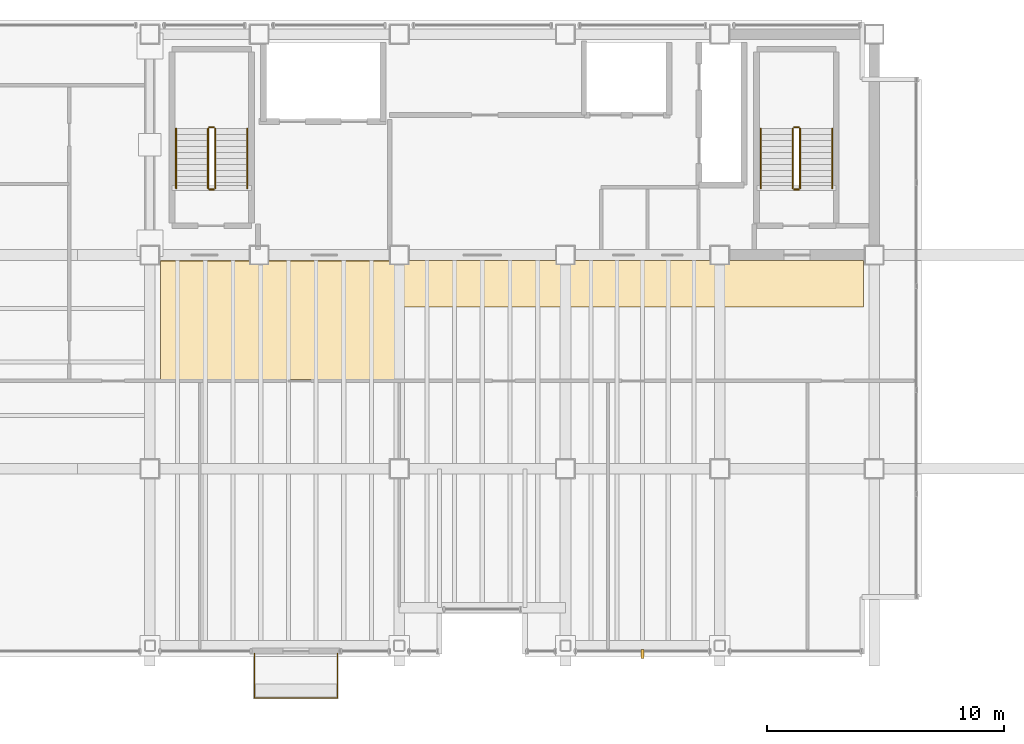
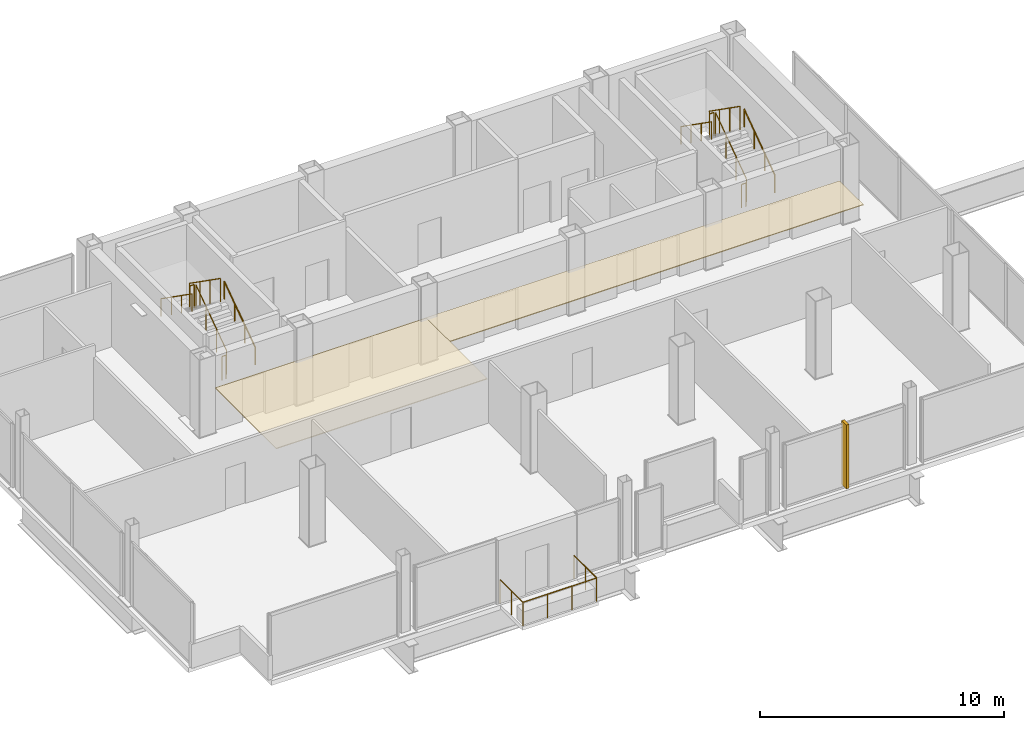
# One storey, part 22 of 22: 13 railings, 2 coverings, 1 shading device.
"""IFC4 building model written with IfcOpenShell, lengths in metres."""

from ifc_helpers import new_model, si_unit, direction, frame, origin, origin_2d, place, context, subcontext, project, spatial, polyline, rectangle, circle, outline, extrude, material, layer, layer_set, type_object, element, save


model = new_model("IFC4")

# Units and contexts
model_context = context("Model", 3, precision=1e-05, world=origin(), true_north=direction((0.0, 1.0)))
body_context = subcontext(model_context, "Body", "Model", "MODEL_VIEW")
ifc_project = project(units=[si_unit("LENGTHUNIT", "METRE"), si_unit("AREAUNIT", "SQUARE_METRE"), si_unit("VOLUMEUNIT", "CUBIC_METRE"), si_unit("PLANEANGLEUNIT", "RADIAN"), si_unit("MASSUNIT", "GRAM", prefix="KILO")], contexts=[model_context])

# Site, building, storey
site_placement = place(None, origin())
site = spatial("IfcSite", under=ifc_project, at=site_placement, CompositionType="ELEMENT")
building_placement = place(site_placement, origin())
building = spatial("IfcBuilding", under=site, at=building_placement, Name="Noeulbin Bourse Tower", CompositionType="ELEMENT")
storey_placement = place(building_placement, frame((0.0, 0.0, 230.60009765625)))
storey = spatial("IfcBuildingStorey", under=building, at=storey_placement, Name="L57", CompositionType="ELEMENT", Elevation=230.60009765625)

# Coverings
ifc_material_1 = material(Name="Perforated Mineral-Fibre Acoustic Tile")
ifc_layer_1 = layer(ifc_material_1, 0.0400390625)
ifc_layer_set_1 = layer_set([ifc_layer_1], Name="Perforated Mineral-Fibre Acoustic Tile")
covering_type_1 = type_object("IfcCoveringType", Name="COV-CEIL-ACT", PredefinedType="CEILING", material=ifc_layer_set_1)
covering_1_placement = place(storey_placement, frame((0.0, 0.0, 2.10986328125)))
element("IfcCovering", 1, at=covering_1_placement, inside=storey, type_object=covering_type_1, Name="Trading Suite Acoustic Ceiling L57", PredefinedType="CEILING", context=body_context, shape_type="SweptSolid", body=[
    extrude(outline(polyline([(13.949951171875, 23.75), (23.949951171875, 23.75), (23.949951171875, 28.75), (13.949951171875, 28.75), (13.949951171875, 23.75)])), origin(), (0.0, 0.0, 1.0), 0.0400390625),
])
ifc_material_2 = material(Name="Linear Anodised Aluminium Baffle Ceiling", Category="aluminium")
ifc_layer_2 = layer(ifc_material_2, 0.050048828125)
ifc_layer_set_2 = layer_set([ifc_layer_2], Name="Linear Anodised Aluminium Baffle Ceiling")
covering_type_2 = type_object("IfcCoveringType", Name="COV-CEIL-MTL", PredefinedType="CEILING", material=ifc_layer_set_2)
covering_2_placement = place(storey_placement, frame((0.0, 0.0, 2.10986328125)))
element("IfcCovering", 2, at=covering_2_placement, inside=storey, type_object=covering_type_2, Name="Corridor Suspended Ceiling L57", PredefinedType="CEILING", context=body_context, shape_type="SweptSolid", body=[
    extrude(outline(polyline([(13.949951171875, 26.820068359375), (43.550048828125, 26.820068359375), (43.550048828125, 28.780029296875), (13.949951171875, 28.780029296875), (13.949951171875, 26.820068359375)])), origin(), (0.0, 0.0, 1.0), 0.0400390625),
])

# Railings
ifc_material_3 = material(Name="Laminated SentryGlas and Stainless Steel 316", Category="steel")
ifc_layer_3 = layer(ifc_material_3, 0.06005859375)
ifc_layer_set_3 = layer_set([ifc_layer_3], Name="Laminated SentryGlas and Stainless Steel 316")
railing_type_1 = type_object("IfcRailingType", Name="RLG-BAL-1200", PredefinedType="BALUSTRADE", material=ifc_layer_set_3)
railing_1_placement = place(storey_placement, frame((17.89990234375, 12.219970703125, 0.0)))
element("IfcRailing", 3, at=railing_1_placement, inside=storey, type_object=railing_type_1, Name="Tree-Balcony Glazed Balustrade L57", PredefinedType="BALUSTRADE", context=body_context, shape_type="SweptSolid", body=[
    extrude(circle(Radius=0.02392578125, at=origin_2d()), frame((0.0, 0.0, 1.17578125), z_axis=(0.0, -1.0, 0.0), x_axis=(1.0, 0.0, 0.0)), (0.0, 0.0, 1.0), 1.869873046875),
    extrude(circle(Radius=0.02392578125, at=origin_2d()), frame((0.0, -1.869873046875, 1.17578125), z_axis=(1.0, 0.0, 0.0), x_axis=(0.0, 1.0, 0.0)), (0.0, 0.0, 1.0), 3.5),
    extrude(circle(Radius=0.02392578125, at=origin_2d()), frame((3.5, -1.869873046875, 1.17578125), z_axis=(0.0, 1.0, 0.0), x_axis=(-1.0, 0.0, 0.0)), (0.0, 0.0, 1.0), 1.869873046875),
    extrude(circle(Radius=0.02099609375, at=origin_2d()), origin(), (0.0, 0.0, 1.0), 1.15185546875),
    extrude(circle(Radius=0.02099609375, at=origin_2d()), frame((0.0, -0.93505859375, 0.0)), (0.0, 0.0, 1.0), 1.15185546875),
    extrude(circle(Radius=0.02099609375, at=origin_2d()), frame((0.0, -1.869873046875, 0.0)), (0.0, 0.0, 1.0), 1.15185546875),
    extrude(circle(Radius=0.02099609375, at=origin_2d()), frame((1.166748046875, -1.869873046875, 0.0)), (0.0, 0.0, 1.0), 1.15185546875),
    extrude(circle(Radius=0.02099609375, at=origin_2d()), frame((2.333251953125, -1.869873046875, 0.0)), (0.0, 0.0, 1.0), 1.15185546875),
    extrude(circle(Radius=0.02099609375, at=origin_2d()), frame((3.5, -1.869873046875, 0.0)), (0.0, 0.0, 1.0), 1.15185546875),
    extrude(circle(Radius=0.02099609375, at=origin_2d()), frame((3.5, -0.93505859375, 0.0)), (0.0, 0.0, 1.0), 1.15185546875),
    extrude(circle(Radius=0.02099609375, at=origin_2d()), frame((3.5, 0.0, 0.0)), (0.0, 0.0, 1.0), 1.15185546875),
])
ifc_material_4 = material(Name="Painted Tubular Steel S355", Category="steel")
ifc_layer_4 = layer(ifc_material_4, 0.048095703125)
ifc_layer_set_4 = layer_set([ifc_layer_4], Name="Painted Tubular Steel S355")
railing_type_2 = type_object("IfcRailingType", Name="RLG-STR-GRD", PredefinedType="GUARDRAIL", material=ifc_layer_set_4)
railing_2_placement = place(storey_placement, frame((16.25, 31.81005859375, 0.17724609375)))
element("IfcRailing", 4, at=railing_2_placement, inside=storey, type_object=railing_type_2, Name="L57 ST-1 stair guard 1", PredefinedType="GUARDRAIL", context=body_context, shape_type="SweptSolid", body=[
    extrude(circle(Radius=0.02392578125, at=origin_2d()), frame((0.0, 0.0, 1.17578125), z_axis=(0.0, 0.817904474719, 0.575354039036), x_axis=(-1.0, 0.0, 0.0)), (0.0, 0.0, 1.0), 3.0810546875),
    extrude(circle(Radius=0.02099609375, at=origin_2d()), origin(), (0.0, 0.0, 1.0), 1.15185546875),
    extrude(circle(Radius=0.02099609375, at=origin_2d()), frame((0.0, 0.840087890625, 0.5908203125)), (0.0, 0.0, 1.0), 1.15185546875),
    extrude(circle(Radius=0.02099609375, at=origin_2d()), frame((0.0, 1.679931640625, 1.181884765625)), (0.0, 0.0, 1.0), 1.15185546875),
    extrude(circle(Radius=0.02099609375, at=origin_2d()), frame((0.0, 2.52001953125, 1.772705078125)), (0.0, 0.0, 1.0), 1.15185546875),
])
railing_3_placement = place(storey_placement, frame((16.199951171875, 34.3798828125, 1.949951171875)))
element("IfcRailing", 5, at=railing_3_placement, inside=storey, type_object=railing_type_2, Name="L57 ST-1 stair guard 2", PredefinedType="GUARDRAIL", context=body_context, shape_type="SweptSolid", body=[
    extrude(circle(Radius=0.02392578125, at=origin_2d()), frame((0.0, 0.0, 1.17578125), z_axis=(-1.0, 0.0, 0.0), x_axis=(0.0, -1.0, 0.0)), (0.0, 0.0, 1.0), 0.199951171875),
    extrude(circle(Radius=0.02099609375, at=origin_2d()), origin(), (0.0, 0.0, 1.0), 1.15185546875),
    extrude(circle(Radius=0.02099609375, at=origin_2d()), frame((-0.199951171875, 0.0, 0.0)), (0.0, 0.0, 1.0), 1.15185546875),
])
railing_4_placement = place(storey_placement, frame((15.949951171875, 34.330078125, 2.127197265625)))
element("IfcRailing", 6, at=railing_4_placement, inside=storey, type_object=railing_type_2, Name="L57 ST-1 stair guard 3", PredefinedType="GUARDRAIL", context=body_context, shape_type="SweptSolid", body=[
    extrude(circle(Radius=0.02392578125, at=origin_2d()), frame((0.0, 0.0, 1.17578125), z_axis=(0.0, -0.817904474719, 0.575354039036), x_axis=(1.0, 0.0, 0.0)), (0.0, 0.0, 1.0), 3.0810546875),
    extrude(circle(Radius=0.02099609375, at=origin_2d()), origin(), (0.0, 0.0, 1.0), 1.15185546875),
    extrude(circle(Radius=0.02099609375, at=origin_2d()), frame((0.0, -0.840087890625, 0.5908203125)), (0.0, 0.0, 1.0), 1.15185546875),
    extrude(circle(Radius=0.02099609375, at=origin_2d()), frame((0.0, -1.679931640625, 1.181884765625)), (0.0, 0.0, 1.0), 1.15185546875),
    extrude(circle(Radius=0.02099609375, at=origin_2d()), frame((0.0, -2.52001953125, 1.772705078125)), (0.0, 0.0, 1.0), 1.15185546875),
])
railing_5_placement = place(storey_placement, frame((16.199951171875, 31.760009765625, 0.0)))
element("IfcRailing", 7, at=railing_5_placement, inside=storey, type_object=railing_type_2, Name="L57 ST-1 stair guard 4", PredefinedType="GUARDRAIL", context=body_context, shape_type="SweptSolid", body=[
    extrude(circle(Radius=0.02392578125, at=origin_2d()), frame((0.0, 0.0, 1.17578125), z_axis=(-1.0, 0.0, 0.0), x_axis=(0.0, -1.0, 0.0)), (0.0, 0.0, 1.0), 0.199951171875),
    extrude(circle(Radius=0.02099609375, at=origin_2d()), origin(), (0.0, 0.0, 1.0), 1.15185546875),
    extrude(circle(Radius=0.02099609375, at=origin_2d()), frame((-0.199951171875, 0.0, 0.0)), (0.0, 0.0, 1.0), 1.15185546875),
])
railing_6_placement = place(storey_placement, frame((40.8798828125, 31.81005859375, 0.17724609375)))
element("IfcRailing", 8, at=railing_6_placement, inside=storey, type_object=railing_type_2, Name="L57 ST-2 stair guard 1", PredefinedType="GUARDRAIL", context=body_context, shape_type="SweptSolid", body=[
    extrude(circle(Radius=0.02392578125, at=origin_2d()), frame((0.0, 0.0, 1.17578125), z_axis=(0.0, 0.817904474719, 0.575354039036), x_axis=(-1.0, 0.0, 0.0)), (0.0, 0.0, 1.0), 3.0810546875),
    extrude(circle(Radius=0.02099609375, at=origin_2d()), origin(), (0.0, 0.0, 1.0), 1.15185546875),
    extrude(circle(Radius=0.02099609375, at=origin_2d()), frame((0.0, 0.840087890625, 0.5908203125)), (0.0, 0.0, 1.0), 1.15185546875),
    extrude(circle(Radius=0.02099609375, at=origin_2d()), frame((0.0, 1.679931640625, 1.181884765625)), (0.0, 0.0, 1.0), 1.15185546875),
    extrude(circle(Radius=0.02099609375, at=origin_2d()), frame((0.0, 2.52001953125, 1.772705078125)), (0.0, 0.0, 1.0), 1.15185546875),
])
railing_7_placement = place(storey_placement, frame((40.830078125, 34.3798828125, 1.949951171875)))
element("IfcRailing", 9, at=railing_7_placement, inside=storey, type_object=railing_type_2, Name="L57 ST-2 stair guard 2", PredefinedType="GUARDRAIL", context=body_context, shape_type="SweptSolid", body=[
    extrude(circle(Radius=0.02392578125, at=origin_2d()), frame((0.0, 0.0, 1.17578125), z_axis=(-1.0, 0.0, 0.0), x_axis=(0.0, -1.0, 0.0)), (0.0, 0.0, 1.0), 0.2001953125),
    extrude(circle(Radius=0.02099609375, at=origin_2d()), origin(), (0.0, 0.0, 1.0), 1.15185546875),
    extrude(circle(Radius=0.02099609375, at=origin_2d()), frame((-0.2001953125, 0.0, 0.0)), (0.0, 0.0, 1.0), 1.15185546875),
])
railing_8_placement = place(storey_placement, frame((40.580078125, 34.330078125, 2.127197265625)))
element("IfcRailing", 10, at=railing_8_placement, inside=storey, type_object=railing_type_2, Name="L57 ST-2 stair guard 3", PredefinedType="GUARDRAIL", context=body_context, shape_type="SweptSolid", body=[
    extrude(circle(Radius=0.02392578125, at=origin_2d()), frame((0.0, 0.0, 1.17578125), z_axis=(0.0, -0.817904474719, 0.575354039036), x_axis=(1.0, 0.0, 0.0)), (0.0, 0.0, 1.0), 3.0810546875),
    extrude(circle(Radius=0.02099609375, at=origin_2d()), origin(), (0.0, 0.0, 1.0), 1.15185546875),
    extrude(circle(Radius=0.02099609375, at=origin_2d()), frame((0.0, -0.840087890625, 0.5908203125)), (0.0, 0.0, 1.0), 1.15185546875),
    extrude(circle(Radius=0.02099609375, at=origin_2d()), frame((0.0, -1.679931640625, 1.181884765625)), (0.0, 0.0, 1.0), 1.15185546875),
    extrude(circle(Radius=0.02099609375, at=origin_2d()), frame((0.0, -2.52001953125, 1.772705078125)), (0.0, 0.0, 1.0), 1.15185546875),
])
railing_9_placement = place(storey_placement, frame((40.830078125, 31.760009765625, 0.0)))
element("IfcRailing", 11, at=railing_9_placement, inside=storey, type_object=railing_type_2, Name="L57 ST-2 stair guard 4", PredefinedType="GUARDRAIL", context=body_context, shape_type="SweptSolid", body=[
    extrude(circle(Radius=0.02392578125, at=origin_2d()), frame((0.0, 0.0, 1.17578125), z_axis=(-1.0, 0.0, 0.0), x_axis=(0.0, -1.0, 0.0)), (0.0, 0.0, 1.0), 0.2001953125),
    extrude(circle(Radius=0.02099609375, at=origin_2d()), origin(), (0.0, 0.0, 1.0), 1.15185546875),
    extrude(circle(Radius=0.02099609375, at=origin_2d()), frame((-0.2001953125, 0.0, 0.0)), (0.0, 0.0, 1.0), 1.15185546875),
])
ifc_material_5 = material(Name="Brushed Stainless Steel 316", Category="steel")
ifc_layer_5 = layer(ifc_material_5, 0.048095703125)
ifc_layer_set_5 = layer_set([ifc_layer_5], Name="Brushed Stainless Steel 316")
railing_type_3 = type_object("IfcRailingType", Name="RLG-STR-HND", PredefinedType="HANDRAIL", material=ifc_layer_set_5)
railing_10_placement = place(storey_placement, frame((17.60009765625, 31.81005859375, 0.17724609375)))
element("IfcRailing", 12, at=railing_10_placement, inside=storey, type_object=railing_type_3, Name="L57 ST-1 stair handrail 1", PredefinedType="HANDRAIL", context=body_context, shape_type="SweptSolid", body=[
    extrude(circle(Radius=0.02392578125, at=origin_2d()), frame((0.0, 0.0, 0.8759765625), z_axis=(0.0, 0.817904474719, 0.575354039036), x_axis=(-1.0, 0.0, 0.0)), (0.0, 0.0, 1.0), 3.0810546875),
    extrude(circle(Radius=0.02099609375, at=origin_2d()), origin(), (0.0, 0.0, 1.0), 0.851806640625),
    extrude(circle(Radius=0.02099609375, at=origin_2d()), frame((0.0, 0.840087890625, 0.5908203125)), (0.0, 0.0, 1.0), 0.851806640625),
    extrude(circle(Radius=0.02099609375, at=origin_2d()), frame((0.0, 1.679931640625, 1.181884765625)), (0.0, 0.0, 1.0), 0.851806640625),
    extrude(circle(Radius=0.02099609375, at=origin_2d()), frame((0.0, 2.52001953125, 1.772705078125)), (0.0, 0.0, 1.0), 0.851806640625),
])
railing_11_placement = place(storey_placement, frame((14.60009765625, 34.330078125, 2.127197265625)))
element("IfcRailing", 13, at=railing_11_placement, inside=storey, type_object=railing_type_3, Name="L57 ST-1 stair handrail 2", PredefinedType="HANDRAIL", context=body_context, shape_type="SweptSolid", body=[
    extrude(circle(Radius=0.02392578125, at=origin_2d()), frame((0.0, 0.0, 0.8759765625), z_axis=(0.0, -0.817904474719, 0.575354039036), x_axis=(1.0, 0.0, 0.0)), (0.0, 0.0, 1.0), 3.0810546875),
    extrude(circle(Radius=0.02099609375, at=origin_2d()), origin(), (0.0, 0.0, 1.0), 0.851806640625),
    extrude(circle(Radius=0.02099609375, at=origin_2d()), frame((0.0, -0.840087890625, 0.5908203125)), (0.0, 0.0, 1.0), 0.851806640625),
    extrude(circle(Radius=0.02099609375, at=origin_2d()), frame((0.0, -1.679931640625, 1.181884765625)), (0.0, 0.0, 1.0), 0.851806640625),
    extrude(circle(Radius=0.02099609375, at=origin_2d()), frame((0.0, -2.52001953125, 1.772705078125)), (0.0, 0.0, 1.0), 0.851806640625),
])
railing_12_placement = place(storey_placement, frame((42.22998046875, 31.81005859375, 0.17724609375)))
element("IfcRailing", 14, at=railing_12_placement, inside=storey, type_object=railing_type_3, Name="L57 ST-2 stair handrail 1", PredefinedType="HANDRAIL", context=body_context, shape_type="SweptSolid", body=[
    extrude(circle(Radius=0.02392578125, at=origin_2d()), frame((0.0, 0.0, 0.8759765625), z_axis=(0.0, 0.817904474719, 0.575354039036), x_axis=(-1.0, 0.0, 0.0)), (0.0, 0.0, 1.0), 3.0810546875),
    extrude(circle(Radius=0.02099609375, at=origin_2d()), origin(), (0.0, 0.0, 1.0), 0.851806640625),
    extrude(circle(Radius=0.02099609375, at=origin_2d()), frame((0.0, 0.840087890625, 0.5908203125)), (0.0, 0.0, 1.0), 0.851806640625),
    extrude(circle(Radius=0.02099609375, at=origin_2d()), frame((0.0, 1.679931640625, 1.181884765625)), (0.0, 0.0, 1.0), 0.851806640625),
    extrude(circle(Radius=0.02099609375, at=origin_2d()), frame((0.0, 2.52001953125, 1.772705078125)), (0.0, 0.0, 1.0), 0.851806640625),
])
railing_13_placement = place(storey_placement, frame((39.22998046875, 34.330078125, 2.127197265625)))
element("IfcRailing", 15, at=railing_13_placement, inside=storey, type_object=railing_type_3, Name="L57 ST-2 stair handrail 2", PredefinedType="HANDRAIL", context=body_context, shape_type="SweptSolid", body=[
    extrude(circle(Radius=0.02392578125, at=origin_2d()), frame((0.0, 0.0, 0.8759765625), z_axis=(0.0, -0.817904474719, 0.575354039036), x_axis=(1.0, 0.0, 0.0)), (0.0, 0.0, 1.0), 3.0810546875),
    extrude(circle(Radius=0.02099609375, at=origin_2d()), origin(), (0.0, 0.0, 1.0), 0.851806640625),
    extrude(circle(Radius=0.02099609375, at=origin_2d()), frame((0.0, -0.840087890625, 0.5908203125)), (0.0, 0.0, 1.0), 0.851806640625),
    extrude(circle(Radius=0.02099609375, at=origin_2d()), frame((0.0, -1.679931640625, 1.181884765625)), (0.0, 0.0, 1.0), 0.851806640625),
    extrude(circle(Radius=0.02099609375, at=origin_2d()), frame((0.0, -2.52001953125, 1.772705078125)), (0.0, 0.0, 1.0), 0.851806640625),
])

# Shading device
ifc_material_6 = material(Name="Anodised Aluminium 6063-T6", Category="aluminium")
ifc_layer_6 = layer(ifc_material_6, 3.199951171875)
ifc_layer_set_6 = layer_set([ifc_layer_6], Name="Anodised Aluminium 6063-T6")
shading_device_type = type_object("IfcShadingDeviceType", Name="SHD-FIN-400", PredefinedType="USERDEFINED", material=ifc_layer_set_6)
shading_device_placement = place(storey_placement, frame((34.25, 12.199951171875, 0.14990234375), z_axis=(0.0, 0.0, 1.0), x_axis=(1.0, 0.0, 0.0)))
element("IfcShadingDevice", 16, at=shading_device_placement, inside=storey, type_object=shading_device_type, Name="Vertical Solar Fin SN-L57-2", ObjectType="SUNSHADE", PredefinedType="USERDEFINED", context=body_context, shape_type="SweptSolid", body=[
    extrude(rectangle(XDim=0.1201171875, YDim=0.3798828125, at=origin_2d()), origin(), (0.0, 0.0, 1.0), 3.199951171875),
])

save(model, "model.ifc")
